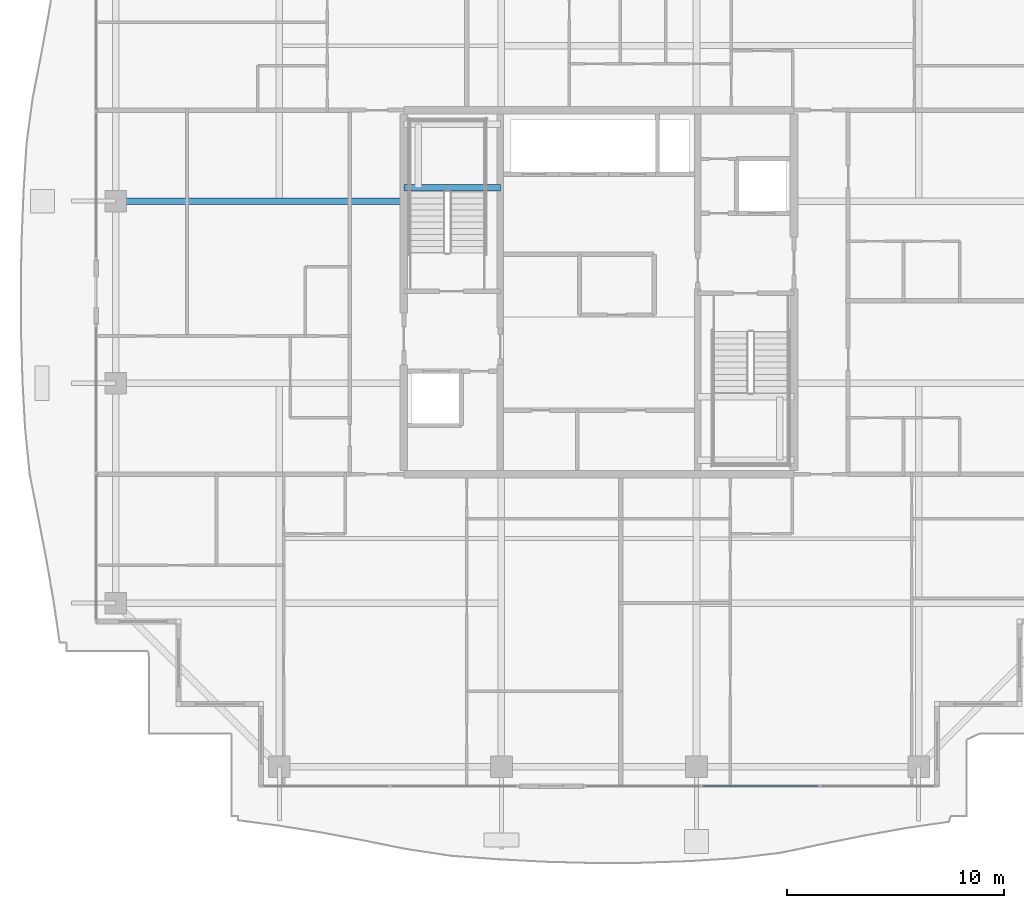
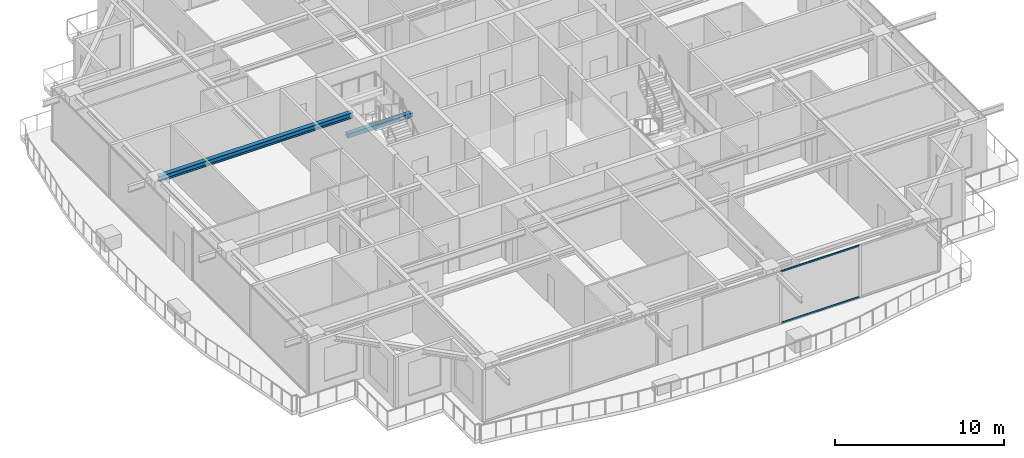
# One storey, part 10 of 38: 2 beams, 2 members, 1 element without a shape of its own.
"""IFC4 building model written with IfcOpenShell, lengths in metres."""

from ifc_helpers import new_model, si_unit, direction, frame, origin, origin_2d, place, context, subcontext, project, spatial, rectangle, hollow_rectangle, i_section, extrude, source, transform, mapped, material, layer, layer_set, material_profile, profile_set, type_object, element, aggregate, save


model = new_model("IFC4")

# Units and contexts
model_context = context("Model", 3, precision=1e-05, world=origin(), true_north=direction((0.0, 1.0)))
body_context = subcontext(model_context, "Body", "Model", "MODEL_VIEW")
ifc_project = project(units=[si_unit("LENGTHUNIT", "METRE"), si_unit("AREAUNIT", "SQUARE_METRE"), si_unit("VOLUMEUNIT", "CUBIC_METRE"), si_unit("PLANEANGLEUNIT", "RADIAN"), si_unit("MASSUNIT", "GRAM", prefix="KILO")], contexts=[model_context])

# Site, building, storey
site_placement = place(None, origin())
site = spatial("IfcSite", under=ifc_project, at=site_placement, CompositionType="ELEMENT")
building_placement = place(site_placement, origin())
building = spatial("IfcBuilding", under=site, at=building_placement, Name="Serunith Strait Residences", CompositionType="ELEMENT")
storey_placement = place(building_placement, frame((0.0, 0.0, 321.800048828125)))
storey = spatial("IfcBuildingStorey", under=building, at=storey_placement, Name="L80", CompositionType="ELEMENT", Elevation=321.800048828125)

# Beams
ifc_material_1 = material(Name="Steel S355J2", Category="steel")
ifc_material_profile_1 = material_profile(ifc_material_1, i_section(OverallWidth=0.300048828125, OverallDepth=0.39990234375, WebThickness=0.013427734375, FlangeThickness=0.02392578125, FilletRadius=0.027099609375, at=origin_2d()), Name="HEB 400")
ifc_profile_set_1 = profile_set([ifc_material_profile_1], Name="Steel S355J2")
beam_type_1 = type_object("IfcBeamType", Name="BM-HEB400", PredefinedType="BEAM", material=ifc_profile_set_1)
shared_shape_1 = source(origin(), body_context, "Body", "SweptSolid", [
    extrude(i_section(OverallWidth=0.300048828125, OverallDepth=0.39990234375, WebThickness=0.013427734375, FlangeThickness=0.02392578125, FilletRadius=0.027099609375, at=origin_2d()), origin(), (0.0, 0.0, 1.0), 13.2998046875),
])
beam_1_placement = place(storey_placement, frame((23.39990234375, 29.39990234375, 3.5869140625), z_axis=(-1.0, 0.0, 0.0), x_axis=(0.0, -1.0, 0.0)))
element("IfcBeam", 1, at=beam_1_placement, inside=storey, type_object=beam_type_1, Name="L80 Primary Floor Girder TC-W3", PredefinedType="BEAM", context=body_context, shape_type="MappedRepresentation", body=[
    mapped(shared_shape_1, transform((0.0, 0.0, 0.0), scale=1.0)),
])
ifc_material_2 = material(Name="Concrete C60/75", Category="concrete")
ifc_material_profile_2 = material_profile(ifc_material_2, rectangle(XDim=0.300048828125, YDim=0.300048828125, at=origin_2d()), Name="RC 300x300")
ifc_profile_set_2 = profile_set([ifc_material_profile_2], Name="Concrete C60/75")
beam_type_2 = type_object("IfcBeamType", Name="BM-LAND-300x300", PredefinedType="BEAM", material=ifc_profile_set_2)
shared_shape_2 = source(origin(), body_context, "Body", "SweptSolid", [
    extrude(rectangle(XDim=0.300048828125, YDim=0.300048828125, at=origin_2d()), origin(), (0.0, 0.0, 1.0), 4.4501953125),
])
beam_2_placement = place(storey_placement, frame((23.39990234375, 30.030029296875, 1.675048828125), z_axis=(1.0, 0.0, 0.0), x_axis=(0.0, 1.0, 0.0)))
element("IfcBeam", 2, at=beam_2_placement, inside=storey, type_object=beam_type_2, Name="L80 ST-1 Landing Support Beam 1", PredefinedType="BEAM", context=body_context, shape_type="MappedRepresentation", body=[
    mapped(shared_shape_2, transform((0.0, 0.0, 0.0), scale=1.0)),
])

# Curtain wall, members
ifc_material_3 = material(Name="Brushed Stainless-Silver Aluminium", Category="aluminium")
ifc_layer = layer(ifc_material_3, 0.199951171875, Name="Brushed Stainless-Silver Aluminium")
ifc_layer_set = layer_set([ifc_layer], Name="Brushed Stainless-Silver Aluminium")
curtain_wall_type = type_object("IfcCurtainWallType", Name="CW-SYS5", PredefinedType="NOTDEFINED", material=ifc_layer_set)
curtain_wall_placement = place(storey_placement, origin())
curtain_wall = element("IfcCurtainWall", 3, at=curtain_wall_placement, inside=storey, type_object=curtain_wall_type, Name="L80 S Unitised Fritted Curtain Wall", PredefinedType="NOTDEFINED")
ifc_material_profile_3 = material_profile(ifc_material_3, hollow_rectangle(XDim=0.06005859375, YDim=0.1201171875, WallThickness=0.00341796875, InnerFilletRadius=0.00537109375, OuterFilletRadius=0.0087890625, at=origin_2d()), Name="ALU 120x60x3.5")
ifc_profile_set_3 = profile_set([ifc_material_profile_3], Name="Brushed Stainless-Silver Aluminium")
member_type = type_object("IfcMemberType", Name="CW-SYS5-TRAN", PredefinedType="USERDEFINED", material=ifc_profile_set_3)
shared_shape_3 = source(origin(), body_context, "Body", "SweptSolid", [
    extrude(hollow_rectangle(XDim=0.06005859375, YDim=0.1201171875, WallThickness=0.00341796875, InnerFilletRadius=0.00537109375, OuterFilletRadius=0.0087890625, at=origin_2d()), origin(), (0.0, 0.0, 1.0), 5.368408203125),
])
member_1_placement = place(storey_placement, frame((37.165771484375, 2.39990234375, 0.030029296875), z_axis=(1.0, 0.0, 0.0), x_axis=(0.0, 1.0, 0.0)))
member_1 = element("IfcMember", 4, at=member_1_placement, type_object=member_type, Name="CW-5 transom 2.1", ObjectType="TRANSOM", PredefinedType="USERDEFINED", context=body_context, shape_type="MappedRepresentation", body=[
    mapped(shared_shape_3, transform((0.0, 0.0, 0.0), scale=1.0)),
])
member_2_placement = place(storey_placement, frame((37.165771484375, 2.39990234375, 3.744873046875), z_axis=(1.0, 0.0, 0.0), x_axis=(0.0, 1.0, 0.0)))
member_2 = element("IfcMember", 5, at=member_2_placement, type_object=member_type, Name="CW-5 transom 2.2", ObjectType="TRANSOM", PredefinedType="USERDEFINED", context=body_context, shape_type="MappedRepresentation", body=[
    mapped(shared_shape_3, transform((0.0, 0.0, 0.0), scale=1.0)),
])
aggregate(curtain_wall, [member_1, member_2])

save(model, "model.ifc")
